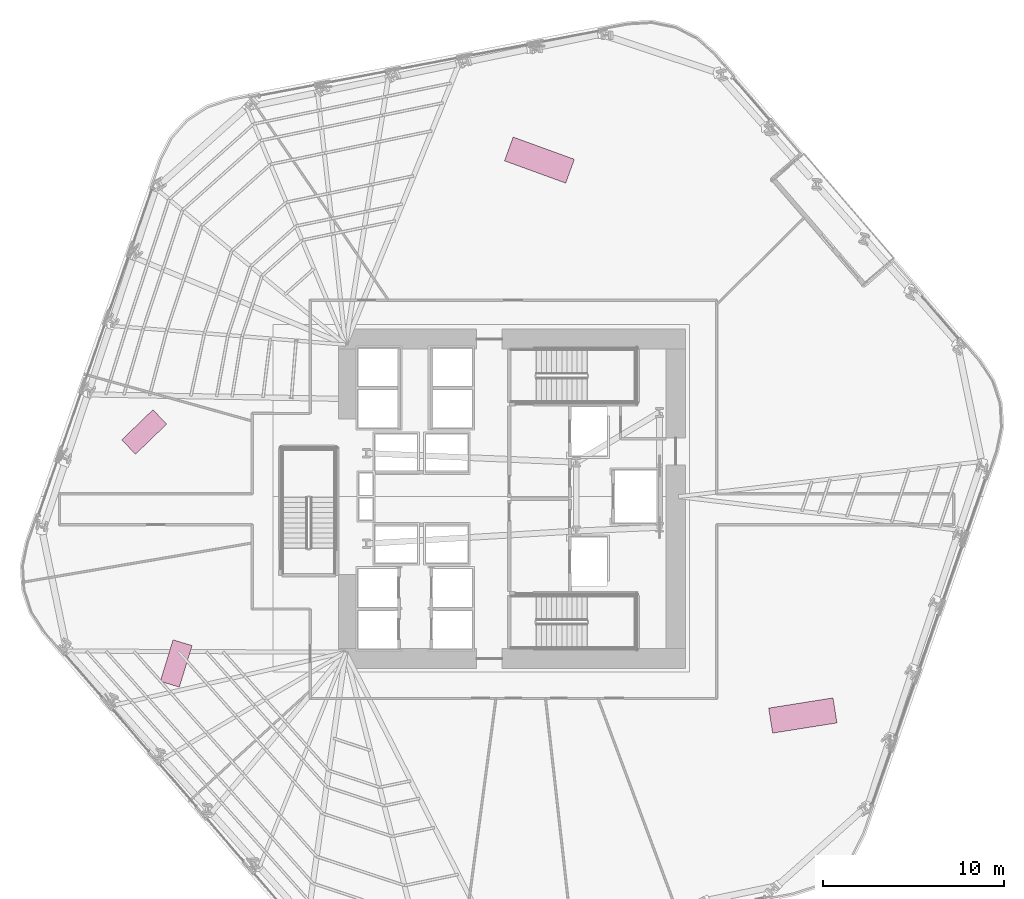
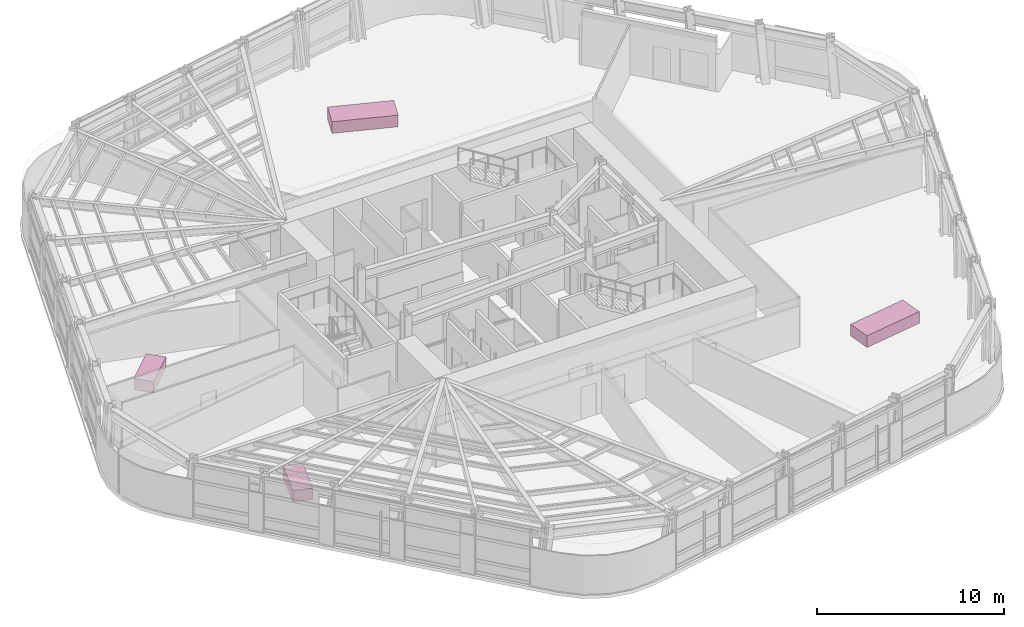
# One storey, part 18 of 18: 4 furniture elements.
"""IFC4 building model written with IfcOpenShell, lengths in metres."""

from ifc_helpers import new_model, si_unit, direction, frame, origin, origin_2d, place, context, subcontext, project, spatial, rectangle, extrude, material, type_object, element, save


model = new_model("IFC4")

# Units and contexts
model_context = context("Model", 3, precision=1e-05, world=origin(), true_north=direction((0.0, 1.0)))
body_context = subcontext(model_context, "Body", "Model", "MODEL_VIEW")
ifc_project = project(units=[si_unit("LENGTHUNIT", "METRE"), si_unit("AREAUNIT", "SQUARE_METRE"), si_unit("VOLUMEUNIT", "CUBIC_METRE"), si_unit("PLANEANGLEUNIT", "RADIAN"), si_unit("MASSUNIT", "GRAM", prefix="KILO")], contexts=[model_context])

# Site, building, storey
site_placement = place(None, origin())
site = spatial("IfcSite", under=ifc_project, at=site_placement, CompositionType="ELEMENT")
building_placement = place(site_placement, origin())
building = spatial("IfcBuilding", under=site, at=building_placement, Name="Valkerne Bourse Tower", CompositionType="ELEMENT")
storey_placement = place(building_placement, frame((0.0, 0.0, 69.60009765625)))
storey = spatial("IfcBuildingStorey", under=building, at=storey_placement, Name="L17", CompositionType="ELEMENT", Elevation=69.60009765625)

# Furniture
ifc_material = material(Name="Architectural White Oak Timber", Category="wood")
furniture_type_1 = type_object("IfcFurnitureType", Name="FURN-CONF-3600", AssemblyPlace="NOTDEFINED", PredefinedType="TABLE", material=ifc_material)
for number, where, z_axis, x_axis, name in (
    (1, (48.31689453125, 45.594970703125, 0.044921875), (0.0, 0.0, 1.0), (-0.939692620786, 0.342020143326, 0.0), "L17 Suite Worktable 09"),
    (2, (62.868896484375, 14.906005859375, 0.044921875), (0.0, 0.0, 1.0), (0.987688340595, 0.15643446504, 0.0), "L17 Suite Worktable 10"),
):
    element("IfcFurniture", number, at=place(storey_placement, frame(where, z_axis=z_axis, x_axis=x_axis)), inside=storey, type_object=furniture_type_1, Name=name, PredefinedType="TABLE", context=body_context, shape_type="SweptSolid", body=[
        extrude(rectangle(XDim=3.60009765625, YDim=1.39990234375, at=origin_2d()), origin(), (0.0, 0.0, 1.0), 0.760009765625),
    ])
furniture_type_2 = type_object("IfcFurnitureType", Name="FURN-DESK-2400", AssemblyPlace="NOTDEFINED", PredefinedType="DESK", material=ifc_material)
for number, where, z_axis, x_axis, name in (
    (3, (26.47802734375, 30.572021484375, 0.044921875), (0.0, 0.0, 1.0), (0.719339800339, 0.694658370459, 0.0), "L17 Suite Worktable 05"),
    (4, (28.2451171875, 17.781982421875, 0.044921875), (0.0, 0.0, 1.0), (0.292371704723, 0.956304755963, 0.0), "L17 Suite Worktable 06"),
):
    element("IfcFurniture", number, at=place(storey_placement, frame(where, z_axis=z_axis, x_axis=x_axis)), inside=storey, type_object=furniture_type_2, Name=name, PredefinedType="DESK", context=body_context, shape_type="SweptSolid", body=[
        extrude(rectangle(XDim=2.39990234375, YDim=1.10009765625, at=origin_2d()), origin(), (0.0, 0.0, 1.0), 0.75),
    ])

save(model, "model.ifc")
